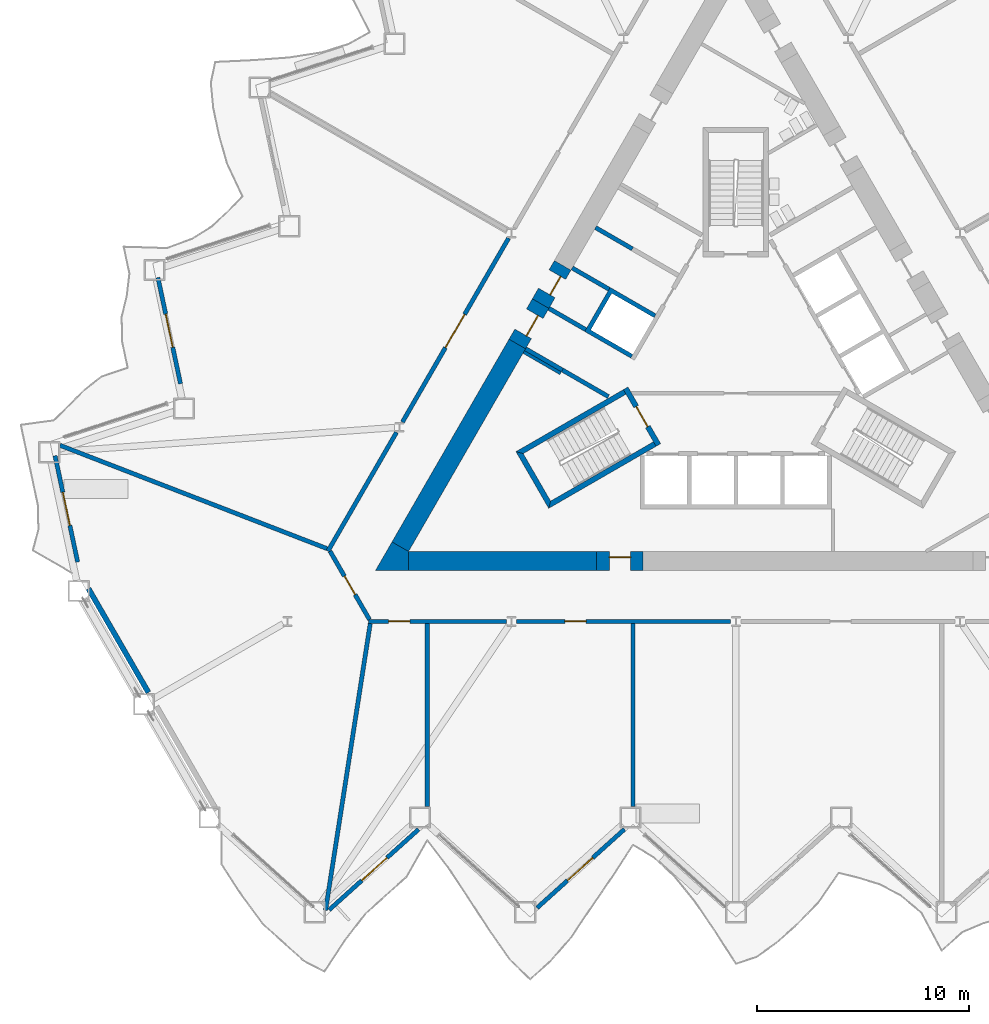
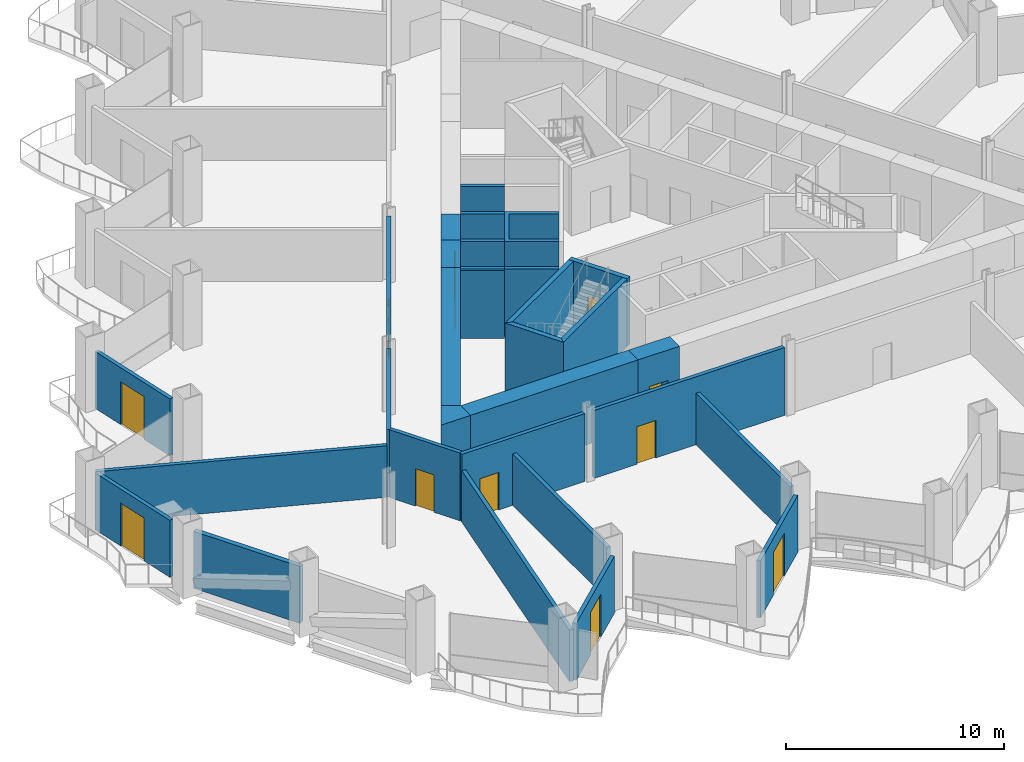
# One storey, part 9 of 21: 31 walls, 12 doors, 12 openings.
"""IFC4 building model written with IfcOpenShell, lengths in metres."""

from ifc_helpers import new_model, si_unit, direction, frame, frame_2d, origin, place, context, subcontext, project, spatial, polyline, rectangle, outline, extrude, material, layer, layer_set, type_object, element, fill, save


model = new_model("IFC4")

# Units and contexts
model_context = context("Model", 3, precision=1e-05, world=origin(), true_north=direction((0.0, 1.0)))
body_context = subcontext(model_context, "Body", "Model", "MODEL_VIEW")
ifc_project = project(units=[si_unit("LENGTHUNIT", "METRE"), si_unit("AREAUNIT", "SQUARE_METRE"), si_unit("VOLUMEUNIT", "CUBIC_METRE"), si_unit("PLANEANGLEUNIT", "RADIAN"), si_unit("MASSUNIT", "GRAM", prefix="KILO")], contexts=[model_context])

# Site, building, storey
site_placement = place(None, origin())
site = spatial("IfcSite", under=ifc_project, at=site_placement, CompositionType="ELEMENT")
building_placement = place(site_placement, origin())
building = spatial("IfcBuilding", under=site, at=building_placement, Name="Cormorant Prow Tower", CompositionType="ELEMENT")
storey_placement = place(building_placement, frame((0.0, 0.0, 42.60009765625)))
storey = spatial("IfcBuildingStorey", under=building, at=storey_placement, Name="L08", CompositionType="ELEMENT", Elevation=42.60009765625)

# Walls
ifc_material_1 = material(Name="Gypsum board partition")
ifc_layer_1 = layer(ifc_material_1, 0.14990234375)
ifc_layer_set_1 = layer_set([ifc_layer_1], Name="Gypsum board partition")
wall_type_1 = type_object("IfcWallType", Name="Core partition 150", PredefinedType="PARTITIONING", material=ifc_layer_set_1)
wall_1_placement = place(storey_placement, frame((-8.268310546875, -0.509033203125, 0.0), z_axis=(0.0, 0.0, 1.0), x_axis=(-0.866035824272, 0.499981950752, 0.0)))
element("IfcWall", 1, at=wall_1_placement, inside=storey, type_object=wall_type_1, Name="Service room partition", PredefinedType="PARTITIONING", context=body_context, shape_type="SweptSolid", body=[
    extrude(rectangle(XDim=2.0087890625, YDim=0.14990234375, at=frame_2d((1.00439453125, 0.0))), origin(), (0.0, 0.0, 1.0), 3.7998046875),
])
ifc_material_2 = material(Name="Concrete 8000 psi", Category="concrete")
ifc_layer_2 = layer(ifc_material_2, 0.89990234375)
ifc_layer_set_2 = layer_set([ifc_layer_2], Name="Concrete 8000 psi")
wall_type_2 = type_object("IfcWallType", Name="Core shear wall 900", PredefinedType="SHEAR", material=ifc_layer_set_2)
wall_2_placement = place(storey_placement, frame((-15.441162109375, -9.364990234375, 0.0), z_axis=(0.0, 0.0, 1.0), x_axis=(1.0, 0.0, 0.0)))
element("IfcWall", 2, at=wall_2_placement, inside=storey, type_object=wall_type_2, Name="Core wall", PredefinedType="SHEAR", context=body_context, shape_type="SweptSolid", body=[
    extrude(rectangle(XDim=8.87060546875, YDim=0.89990234375, at=frame_2d((4.435302734375, 0.0))), origin(), (0.0, 0.0, 1.0), 3.7998046875),
])
wall_3_placement = place(storey_placement, frame((-10.310302734375, 0.8720703125, 0.0), z_axis=(0.0, 0.0, 1.0), x_axis=(-0.499991697393, -0.866030197244, 0.0)))
element("IfcWall", 3, at=wall_3_placement, inside=storey, type_object=wall_type_2, Name="Core wall", PredefinedType="SHEAR", context=body_context, shape_type="SweptSolid", body=[
    extrude(rectangle(XDim=11.041259765625, YDim=0.89990234375, at=frame_2d((5.5205078125, 0.0))), origin(), (0.0, 0.0, 1.0), 3.7998046875),
])
wall_4_placement = place(storey_placement, origin())
element("IfcWall", 4, at=wall_4_placement, inside=storey, type_object=wall_type_2, Name="Core wall corner", PredefinedType="SHEAR", context=body_context, shape_type="SweptSolid", body=[
    extrude(outline(polyline([(-16.220703125, -8.465087890625), (-15.441162109375, -8.9150390625), (-15.441162109375, -9.81494140625), (-17.0, -9.81494140625), (-16.220703125, -8.465087890625)])), origin(), (0.0, 0.0, 1.0), 3.7998046875),
])

# Wall, opening, door
wall_5_placement = place(storey_placement, frame((-6.570556640625, -9.364990234375, 0.0), z_axis=(0.0, 0.0, 1.0), x_axis=(1.0, 0.0, 0.0)))
wall_5 = element("IfcWall", 5, at=wall_5_placement, inside=storey, type_object=wall_type_2, Name="Core wall door panel", PredefinedType="SHEAR", context=body_context, shape_type="SweptSolid", body=[
    extrude(rectangle(XDim=2.199951171875, YDim=0.89990234375, at=frame_2d((1.10009765625, 0.0))), origin(), (0.0, 0.0, 1.0), 3.7998046875),
])
opening_1_placement = place(wall_5_placement, frame((0.60009765625, 0.0, 0.0)))
opening_1 = element("IfcOpeningElement", 6, at=opening_1_placement, cuts=wall_5, Name="Opening L08-C16", PredefinedType="OPENING", context=body_context, shape_type="SweptSolid", body=[
    extrude(rectangle(XDim=1.0, YDim=2.10009765625, at=frame_2d((0.5, 1.050048828125))), frame((0.0, 0.4599609375, 0.0), z_axis=(0.0, -1.0, 0.0), x_axis=(1.0, 0.0, 0.0)), (0.0, 0.0, 1.0), 0.919921875),
])
ifc_material_3 = material(Name="Painted steel", Category="steel")
door_type_1 = type_object("IfcDoorType", Name="Service door 1000x2100", OperationType="NOTDEFINED", PredefinedType="DOOR", material=ifc_material_3)
door_1_placement = place(opening_1_placement, origin())
door_1 = element("IfcDoor", 7, at=door_1_placement, inside=storey, type_object=door_type_1, Name="Core door, Pantry store", OperationType="SINGLE_SWING_LEFT", OverallHeight=2.10009765625, OverallWidth=1.0, PredefinedType="DOOR", context=body_context, shape_type="SweptSolid", body=[
    extrude(rectangle(XDim=1.0, YDim=2.10009765625, at=frame_2d((0.5, 1.050048828125))), frame((0.0, 0.205078125, 0.0), z_axis=(0.0, -1.0, 0.0), x_axis=(1.0, 0.0, 0.0)), (0.0, 0.0, 1.0), 0.050048828125),
])
fill(opening_1, door_1)

wall_6_placement = place(storey_placement, frame((-8.17041015625, 4.57861328125, 0.0), z_axis=(0.0, 0.0, 1.0), x_axis=(-0.499888406853, -0.866089822532, 0.0)))
wall_6 = element("IfcWall", 8, at=wall_6_placement, inside=storey, type_object=wall_type_2, Name="Core wall door panel", PredefinedType="SHEAR", context=body_context, shape_type="SweptSolid", body=[
    extrude(rectangle(XDim=2.080078125, YDim=0.89990234375, at=frame_2d((1.0400390625, 0.0))), origin(), (0.0, 0.0, 1.0), 3.7998046875),
])
opening_2_placement = place(wall_6_placement, frame((0.5, 0.0, 0.0)))
opening_2 = element("IfcOpeningElement", 9, at=opening_2_placement, cuts=wall_6, Name="Opening L08-C19", PredefinedType="OPENING", context=body_context, shape_type="SweptSolid", body=[
    extrude(rectangle(XDim=1.0, YDim=2.10009765625, at=frame_2d((0.5, 1.050048828125))), frame((0.0, 0.4599609375, 0.0), z_axis=(0.0, -1.0, 0.0), x_axis=(1.0, 0.0, 0.0)), (0.0, 0.0, 1.0), 0.919921875),
])
door_2_placement = place(opening_2_placement, origin())
door_2 = element("IfcDoor", 10, at=door_2_placement, inside=storey, type_object=door_type_1, Name="Core door, Telecom room", OperationType="SINGLE_SWING_RIGHT", OverallHeight=2.10009765625, OverallWidth=1.0, PredefinedType="DOOR", context=body_context, shape_type="SweptSolid", body=[
    extrude(rectangle(XDim=1.0, YDim=2.10009765625, at=frame_2d((0.5, 1.050048828125))), frame((0.0, 0.205078125, 0.0), z_axis=(0.0, -1.0, 0.0), x_axis=(1.0, 0.0, 0.0)), (0.0, 0.0, 1.0), 0.050048828125),
])
fill(opening_2, door_2)

wall_7_placement = place(storey_placement, frame((-9.210205078125, 2.777099609375, 0.0), z_axis=(0.0, 0.0, 1.0), x_axis=(-0.500077893725, -0.86598042715, 0.0)))
wall_7 = element("IfcWall", 11, at=wall_7_placement, inside=storey, type_object=wall_type_2, Name="Core wall door panel", PredefinedType="SHEAR", context=body_context, shape_type="SweptSolid", body=[
    extrude(rectangle(XDim=2.199951171875, YDim=0.89990234375, at=frame_2d((1.10009765625, 0.0))), origin(), (0.0, 0.0, 1.0), 3.7998046875),
])
opening_3_placement = place(wall_7_placement, frame((0.550048828125, 0.0, 0.0)))
opening_3 = element("IfcOpeningElement", 12, at=opening_3_placement, cuts=wall_7, Name="Opening L08-C24", PredefinedType="OPENING", context=body_context, shape_type="SweptSolid", body=[
    extrude(rectangle(XDim=1.10009765625, YDim=2.10009765625, at=frame_2d((0.550048828125, 1.050048828125))), frame((0.0, 0.4599609375, 0.0), z_axis=(0.0, -1.0, 0.0), x_axis=(1.0, 0.0, 0.0)), (0.0, 0.0, 1.0), 0.919921875),
])
ifc_material_4 = material(Name="Painted steel", Category="steel")
door_type_2 = type_object("IfcDoorType", Name="Core door 1100x2100", OperationType="NOTDEFINED", PredefinedType="DOOR", material=ifc_material_4)
door_3_placement = place(opening_3_placement, origin())
door_3 = element("IfcDoor", 13, at=door_3_placement, inside=storey, type_object=door_type_2, Name="Core door, lift lobby", OperationType="SINGLE_SWING_RIGHT", OverallHeight=2.10009765625, OverallWidth=1.10009765625, PredefinedType="DOOR", context=body_context, shape_type="SweptSolid", body=[
    extrude(rectangle(XDim=1.10009765625, YDim=2.10009765625, at=frame_2d((0.550048828125, 1.050048828125))), frame((0.0, 0.205078125, 0.0), z_axis=(0.0, -1.0, 0.0), x_axis=(1.0, 0.0, 0.0)), (0.0, 0.0, 1.0), 0.050048828125),
])
fill(opening_3, door_3)

ifc_material_5 = material(Name="Gypsum board corridor wall")
ifc_layer_3 = layer(ifc_material_5, 0.199951171875)
ifc_layer_set_3 = layer_set([ifc_layer_3], Name="Gypsum board corridor wall")
wall_type_3 = type_object("IfcWallType", Name="Corridor wall 200", PredefinedType="PARTITIONING", material=ifc_layer_set_3)
wall_8_placement = place(storey_placement, frame((-10.336181640625, -12.215087890625, 0.0), z_axis=(0.0, 0.0, 1.0), x_axis=(1.0, 0.0, 0.0)))
wall_8 = element("IfcWall", 14, at=wall_8_placement, inside=storey, type_object=wall_type_3, Name="Corridor wall", PredefinedType="PARTITIONING", context=body_context, shape_type="SweptSolid", body=[
    extrude(rectangle(XDim=10.093994140625, YDim=0.199951171875, at=frame_2d((5.046875, 0.0))), origin(), (0.0, 0.0, 1.0), 3.7998046875),
])
opening_4_placement = place(wall_8_placement, frame((2.27197265625, 0.0, 0.0)))
opening_4 = element("IfcOpeningElement", 15, at=opening_4_placement, cuts=wall_8, Name="Opening L08-F02", PredefinedType="OPENING", context=body_context, shape_type="SweptSolid", body=[
    extrude(rectangle(XDim=1.0, YDim=2.10009765625, at=frame_2d((0.5, 1.050048828125))), frame((0.0, 0.10986328125, 0.0), z_axis=(0.0, -1.0, 0.0), x_axis=(1.0, 0.0, 0.0)), (0.0, 0.0, 1.0), 0.219970703125),
])
ifc_material_6 = material(Name="Timber door leaf", Category="wood")
door_type_3 = type_object("IfcDoorType", Name="Office door 1000x2100", OperationType="NOTDEFINED", PredefinedType="DOOR", material=ifc_material_6)
door_4_placement = place(opening_4_placement, origin())
door_4 = element("IfcDoor", 16, at=door_4_placement, inside=storey, type_object=door_type_3, Name="Tenant suite door", OperationType="SINGLE_SWING_RIGHT", OverallHeight=2.10009765625, OverallWidth=1.0, PredefinedType="DOOR", context=body_context, shape_type="SweptSolid", body=[
    extrude(rectangle(XDim=1.0, YDim=2.10009765625, at=frame_2d((0.5, 1.050048828125))), frame((0.0, 0.02490234375, 0.0), z_axis=(0.0, -1.0, 0.0), x_axis=(1.0, 0.0, 0.0)), (0.0, 0.0, 1.0), 0.050048828125),
])
fill(opening_4, door_4)

wall_9_placement = place(storey_placement, frame((-15.727783203125, -2.811279296875, 0.0), z_axis=(0.0, 0.0, 1.0), x_axis=(0.49999175339, 0.866030164915, 0.0)))
wall_9 = element("IfcWall", 17, at=wall_9_placement, inside=storey, type_object=wall_type_3, Name="Corridor wall", PredefinedType="PARTITIONING", context=body_context, shape_type="SweptSolid", body=[
    extrude(rectangle(XDim=10.018798828125, YDim=0.199951171875, at=frame_2d((5.00927734375, 0.0))), origin(), (0.0, 0.0, 1.0), 3.7998046875),
])
opening_5_placement = place(wall_9_placement, frame((4.059326171875, 0.0, 0.0)))
opening_5 = element("IfcOpeningElement", 18, at=opening_5_placement, cuts=wall_9, Name="Opening L08-F16", PredefinedType="OPENING", context=body_context, shape_type="SweptSolid", body=[
    extrude(rectangle(XDim=1.800048828125, YDim=2.10009765625, at=frame_2d((0.89990234375, 1.050048828125))), frame((0.0, 0.10986328125, 0.0), z_axis=(0.0, -1.0, 0.0), x_axis=(1.0, 0.0, 0.0)), (0.0, 0.0, 1.0), 0.219970703125),
])
ifc_material_7 = material(Name="Timber door leaf", Category="wood")
door_type_4 = type_object("IfcDoorType", Name="Double door 1800x2100", OperationType="DOUBLE_DOOR_SINGLE_SWING", PredefinedType="DOOR", material=ifc_material_7)
door_5_placement = place(opening_5_placement, origin())
door_5 = element("IfcDoor", 19, at=door_5_placement, inside=storey, type_object=door_type_4, Name="Open-plan office door", OperationType="DOUBLE_DOOR_SINGLE_SWING", OverallHeight=2.10009765625, OverallWidth=1.800048828125, PredefinedType="DOOR", context=body_context, shape_type="SweptSolid", body=[
    extrude(rectangle(XDim=1.800048828125, YDim=2.10009765625, at=frame_2d((0.89990234375, 1.050048828125))), frame((0.0, 0.02490234375, 0.0), z_axis=(0.0, -1.0, 0.0), x_axis=(1.0, 0.0, 0.0)), (0.0, 0.0, 1.0), 0.050048828125),
])
fill(opening_5, door_5)

wall_10_placement = place(storey_placement, frame((-17.330810546875, -12.215087890625, 0.0), z_axis=(0.0, 0.0, 1.0), x_axis=(1.0, 0.0, 0.0)))
wall_10 = element("IfcWall", 20, at=wall_10_placement, inside=storey, type_object=wall_type_3, Name="Corridor wall", PredefinedType="PARTITIONING", context=body_context, shape_type="SweptSolid", body=[
    extrude(rectangle(XDim=6.510009765625, YDim=0.199951171875, at=frame_2d((3.2548828125, 0.0))), origin(), (0.0, 0.0, 1.0), 3.7998046875),
])
opening_6_placement = place(wall_10_placement, frame((0.951416015625, 0.0, 0.0)))
opening_6 = element("IfcOpeningElement", 21, at=opening_6_placement, cuts=wall_10, Name="Opening L08-F01", PredefinedType="OPENING", context=body_context, shape_type="SweptSolid", body=[
    extrude(rectangle(XDim=1.0, YDim=2.10009765625, at=frame_2d((0.5, 1.050048828125))), frame((0.0, 0.10986328125, 0.0), z_axis=(0.0, -1.0, 0.0), x_axis=(1.0, 0.0, 0.0)), (0.0, 0.0, 1.0), 0.219970703125),
])
door_6_placement = place(opening_6_placement, origin())
door_6 = element("IfcDoor", 22, at=door_6_placement, inside=storey, type_object=door_type_3, Name="Meeting room door", OperationType="SINGLE_SWING_RIGHT", OverallHeight=2.10009765625, OverallWidth=1.0, PredefinedType="DOOR", context=body_context, shape_type="SweptSolid", body=[
    extrude(rectangle(XDim=1.0, YDim=2.10009765625, at=frame_2d((0.5, 1.050048828125))), frame((0.0, 0.02490234375, 0.0), z_axis=(0.0, -1.0, 0.0), x_axis=(1.0, 0.0, 0.0)), (0.0, 0.0, 1.0), 0.050048828125),
])
fill(opening_6, door_6)

# Wall
wall_11_placement = place(storey_placement, frame((-19.243896484375, -8.901611328125, 0.0), z_axis=(0.0, 0.0, 1.0), x_axis=(0.499984737558, 0.86603421538, 0.0)))
element("IfcWall", 23, at=wall_11_placement, inside=storey, type_object=wall_type_3, Name="Corridor wall", PredefinedType="PARTITIONING", context=body_context, shape_type="SweptSolid", body=[
    extrude(rectangle(XDim=6.472900390625, YDim=0.199951171875, at=frame_2d((3.236328125, 0.0))), origin(), (0.0, 0.0, 1.0), 3.7998046875),
])

# Wall, opening, door
wall_12_placement = place(storey_placement, frame((-19.143798828125, -8.901611328125, 0.0), z_axis=(0.0, 0.0, 1.0), x_axis=(0.499958791762, -0.866049194065, 0.0)))
wall_12 = element("IfcWall", 24, at=wall_12_placement, inside=storey, type_object=wall_type_3, Name="Corridor wall", PredefinedType="PARTITIONING", context=body_context, shape_type="SweptSolid", body=[
    extrude(rectangle(XDim=3.725830078125, YDim=0.199951171875, at=frame_2d((1.86279296875, 0.0))), origin(), (0.0, 0.0, 1.0), 3.7998046875),
])
opening_7_placement = place(wall_12_placement, frame((1.363037109375, 0.0, 0.0)))
opening_7 = element("IfcOpeningElement", 25, at=opening_7_placement, cuts=wall_12, Name="Opening L08-F17", PredefinedType="OPENING", context=body_context, shape_type="SweptSolid", body=[
    extrude(rectangle(XDim=1.0, YDim=2.10009765625, at=frame_2d((0.5, 1.050048828125))), frame((0.0, 0.10986328125, 0.0), z_axis=(0.0, -1.0, 0.0), x_axis=(1.0, 0.0, 0.0)), (0.0, 0.0, 1.0), 0.219970703125),
])
door_7_placement = place(opening_7_placement, origin())
door_7 = element("IfcDoor", 26, at=door_7_placement, inside=storey, type_object=door_type_3, Name="Tenant reception door", OperationType="SINGLE_SWING_RIGHT", OverallHeight=2.10009765625, OverallWidth=1.0, PredefinedType="DOOR", context=body_context, shape_type="SweptSolid", body=[
    extrude(rectangle(XDim=1.0, YDim=2.10009765625, at=frame_2d((0.5, 1.050048828125))), frame((0.0, 0.02490234375, 0.0), z_axis=(0.0, -1.0, 0.0), x_axis=(1.0, 0.0, 0.0)), (0.0, 0.0, 1.0), 0.050048828125),
])
fill(opening_7, door_7)

# Walls
ifc_material_8 = material(Name="Gypsum board demising wall")
ifc_layer_4 = layer(ifc_material_8, 0.199951171875)
ifc_layer_set_4 = layer_set([ifc_layer_4], Name="Gypsum board demising wall")
wall_type_4 = type_object("IfcWallType", Name="Demising wall 200", PredefinedType="PARTITIONING", material=ifc_layer_set_4)
wall_13_placement = place(storey_placement, frame((-19.354248046875, -25.8447265625, 0.0), z_axis=(0.0, 0.0, 1.0), x_axis=(0.153927101979, 0.98808220674, 0.0)))
element("IfcWall", 27, at=wall_13_placement, inside=storey, type_object=wall_type_4, Name="Demising wall", PredefinedType="PARTITIONING", context=body_context, shape_type="SweptSolid", body=[
    extrude(rectangle(XDim=13.694091796875, YDim=0.199951171875, at=frame_2d((6.84716796875, 0.0))), origin(), (0.0, 0.0, 1.0), 2.88525390625),
])
wall_14_placement = place(storey_placement, frame((-31.87939453125, -3.908447265625, 0.0), z_axis=(0.0, 0.0, 1.0), x_axis=(0.932669586354, -0.360731815467, 0.0)))
element("IfcWall", 28, at=wall_14_placement, inside=storey, type_object=wall_type_4, Name="Demising wall", PredefinedType="PARTITIONING", context=body_context, shape_type="SweptSolid", body=[
    extrude(rectangle(XDim=13.501220703125, YDim=0.199951171875, at=frame_2d((6.75048828125, 0.0))), origin(), (0.0, 0.0, 1.0), 2.88525390625),
])
for number, where, z_axis, x_axis, name in (
    (29, (-14.55810546875, -20.949951171875, 0.0), (0.0, 0.0, 1.0), (0.0, 1.0, 0.0), "Demising wall"),
    (30, (-4.852783203125, -20.949951171875, 0.0), (0.0, 0.0, 1.0), (0.0, 1.0, 0.0), "Demising wall"),
):
    element("IfcWall", number, at=place(storey_placement, frame(where, z_axis=z_axis, x_axis=x_axis)), inside=storey, type_object=wall_type_4, Name=name, PredefinedType="PARTITIONING", context=body_context, shape_type="SweptSolid", body=[
        extrude(rectangle(XDim=8.635009765625, YDim=0.199951171875, at=frame_2d((4.3173828125, 0.0))), origin(), (0.0, 0.0, 1.0), 2.88525390625),
    ])
ifc_material_9 = material(Name="Concrete 8000 psi", Category="concrete")
ifc_layer_5 = layer(ifc_material_9, 0.199951171875)
ifc_layer_set_5 = layer_set([ifc_layer_5], Name="Concrete 8000 psi")
wall_type_5 = type_object("IfcWallType", Name="Lift shaft wall 200", PredefinedType="SHEAR", material=ifc_layer_set_5)
wall_15_placement = place(storey_placement, origin())
element("IfcWall", 31, at=wall_15_placement, inside=storey, type_object=wall_type_5, Name="Lift shaft walls, WNW block", PredefinedType="SHEAR", context=body_context, shape_type="SweptSolid", body=[
    extrude(outline(polyline([(-6.060546875, -1.697021484375), (-8.230712890625, -0.444091796875), (-8.130859375, -0.27099609375), (-5.96044921875, -1.52392578125), (-6.060546875, -1.697021484375)])), origin(), (0.0, 0.0, 1.0), 3.7998046875),
])
wall_16_placement = place(storey_placement, origin())
element("IfcWall", 32, at=wall_16_placement, inside=storey, type_object=wall_type_5, Name="Lift shaft walls, WNW block", PredefinedType="SHEAR", context=body_context, shape_type="SweptSolid", body=[
    extrude(outline(polyline([(-4.96044921875, 0.2080078125), (-7.130859375, 1.461181640625), (-5.930908203125, 3.53955078125), (-3.760498046875, 2.28662109375), (-3.860595703125, 2.11328125), (-5.852294921875, 3.263427734375), (-6.852294921875, 1.53125), (-4.860595703125, 0.38134765625), (-4.96044921875, 0.2080078125)])), origin(), (0.0, 0.0, 1.0), 3.7998046875),
])
wall_17_placement = place(storey_placement, frame((-4.880859375, 5.3583984375, 0.0), z_axis=(0.0, 0.0, 1.0), x_axis=(-0.866035824272, 0.499981950752, 0.0)))
element("IfcWall", 33, at=wall_17_placement, inside=storey, type_object=wall_type_5, Name="Store side wall", PredefinedType="SHEAR", context=body_context, shape_type="SweptSolid", body=[
    extrude(rectangle(XDim=2.0087890625, YDim=0.199951171875, at=frame_2d((1.00439453125, 0.0))), origin(), (0.0, 0.0, 1.0), 3.7998046875),
])
wall_18_placement = place(storey_placement, frame((-5.980712890625, 3.452880859375, 0.0), z_axis=(0.0, 0.0, 1.0), x_axis=(-0.866013584312, 0.500020471368, 0.0)))
element("IfcWall", 34, at=wall_18_placement, inside=storey, type_object=wall_type_5, Name="Store side wall", PredefinedType="SHEAR", context=body_context, shape_type="SweptSolid", body=[
    extrude(rectangle(XDim=2.00927734375, YDim=0.199951171875, at=frame_2d((1.004638671875, 0.0))), origin(), (0.0, 0.0, 1.0), 3.7998046875),
])
wall_19_placement = place(storey_placement, frame((-7.080810546875, 1.547607421875, 0.0), z_axis=(0.0, 0.0, 1.0), x_axis=(-0.865983199114, 0.50007309351, 0.0)))
element("IfcWall", 35, at=wall_19_placement, inside=storey, type_object=wall_type_5, Name="Lobby passage wall", PredefinedType="SHEAR", context=body_context, shape_type="SweptSolid", body=[
    extrude(rectangle(XDim=2.009033203125, YDim=0.199951171875, at=frame_2d((1.00439453125, 0.0))), origin(), (0.0, 0.0, 1.0), 3.7998046875),
])
wall_20_placement = place(storey_placement, frame((-8.180908203125, -0.357421875, 0.0), z_axis=(0.0, 0.0, 1.0), x_axis=(-0.866035824272, 0.499981950752, 0.0)))
element("IfcWall", 36, at=wall_20_placement, inside=storey, type_object=wall_type_5, Name="Lobby passage wall", PredefinedType="SHEAR", context=body_context, shape_type="SweptSolid", body=[
    extrude(rectangle(XDim=2.0087890625, YDim=0.199951171875, at=frame_2d((1.00439453125, 0.0))), origin(), (0.0, 0.0, 1.0), 3.7998046875),
])
ifc_material_10 = material(Name="Concrete 8000 psi", Category="concrete")
ifc_layer_6 = layer(ifc_material_10, 0.25)
ifc_layer_set_6 = layer_set([ifc_layer_6], Name="Concrete 8000 psi")
wall_type_6 = type_object("IfcWallType", Name="Stair wall 250", PredefinedType="SHEAR", material=ifc_layer_set_6)
wall_21_placement = place(storey_placement, origin())
element("IfcWall", 37, at=wall_21_placement, inside=storey, type_object=wall_type_6, Name="Stair ST1 enclosure wall (flank)", PredefinedType="SHEAR", context=body_context, shape_type="SweptSolid", body=[
    extrude(outline(polyline([(-5.30712890625, -1.28125), (-10.37353515625, -4.206298828125), (-10.031982421875, -4.2978515625), (-5.18212890625, -1.497802734375), (-5.30712890625, -1.28125)])), origin(), (0.0, 0.0, 1.0), 3.7998046875),
])
wall_22_placement = place(storey_placement, origin())
element("IfcWall", 38, at=wall_22_placement, inside=storey, type_object=wall_type_6, Name="Stair ST1 enclosure wall (end)", PredefinedType="SHEAR", context=body_context, shape_type="SweptSolid", body=[
    extrude(outline(polyline([(-10.37353515625, -4.206298828125), (-8.82958984375, -6.880615234375), (-8.738037109375, -6.5390625), (-10.031982421875, -4.2978515625), (-10.37353515625, -4.206298828125)])), origin(), (0.0, 0.0, 1.0), 3.7998046875),
])
wall_23_placement = place(storey_placement, origin())
element("IfcWall", 39, at=wall_23_placement, inside=storey, type_object=wall_type_6, Name="Stair ST1 enclosure wall (flank)", PredefinedType="SHEAR", context=body_context, shape_type="SweptSolid", body=[
    extrude(outline(polyline([(-8.738037109375, -6.5390625), (-8.82958984375, -6.880615234375), (-3.76318359375, -3.95556640625), (-3.88818359375, -3.739013671875), (-8.738037109375, -6.5390625)])), origin(), (0.0, 0.0, 1.0), 3.7998046875),
])

# Wall, opening, door
wall_24_placement = place(storey_placement, frame((-5.198974609375, -1.21875, 0.0), z_axis=(0.0, 0.0, 1.0), x_axis=(0.499982516597, -0.866035497597, 0.0)))
wall_24 = element("IfcWall", 40, at=wall_24_placement, inside=storey, type_object=wall_type_6, Name="Stair ST1 door wall", PredefinedType="SHEAR", context=body_context, shape_type="SweptSolid", body=[
    extrude(rectangle(XDim=3.087890625, YDim=0.25, at=frame_2d((1.5439453125, 0.0))), origin(), (0.0, 0.0, 1.0), 3.7998046875),
])
opening_8_placement = place(wall_24_placement, frame((0.993896484375, 0.0, 0.0)))
opening_8 = element("IfcOpeningElement", 41, at=opening_8_placement, cuts=wall_24, Name="Opening L08-C12", PredefinedType="OPENING", context=body_context, shape_type="SweptSolid", body=[
    extrude(rectangle(XDim=1.10009765625, YDim=2.10009765625, at=frame_2d((0.550048828125, 1.050048828125))), frame((0.0, 0.135009765625, 0.0), z_axis=(0.0, -1.0, 0.0), x_axis=(1.0, 0.0, 0.0)), (0.0, 0.0, 1.0), 0.27001953125),
])
ifc_material_11 = material(Name="Painted steel", Category="steel")
door_type_5 = type_object("IfcDoorType", Name="Stair door 1100x2100", OperationType="NOTDEFINED", PredefinedType="DOOR", material=ifc_material_11)
door_8_placement = place(opening_8_placement, origin())
door_8 = element("IfcDoor", 42, at=door_8_placement, inside=storey, type_object=door_type_5, Name="Stair ST1 door", OperationType="SINGLE_SWING_LEFT", OverallHeight=2.10009765625, OverallWidth=1.10009765625, PredefinedType="DOOR", context=body_context, shape_type="SweptSolid", body=[
    extrude(rectangle(XDim=1.10009765625, YDim=2.10009765625, at=frame_2d((0.550048828125, 1.050048828125))), frame((0.0, 0.02490234375, 0.0), z_axis=(0.0, -1.0, 0.0), x_axis=(1.0, 0.0, 0.0)), (0.0, 0.0, 1.0), 0.050048828125),
])
fill(opening_8, door_8)

# Wall
ifc_material_12 = material(Name="Terracotta", Category="masonry")
ifc_layer_7 = layer(ifc_material_12, 0.25)
ifc_layer_set_7 = layer_set([ifc_layer_7], Name="Terracotta")
wall_type_7 = type_object("IfcWallType", Name="Terracotta bay wall 250", PredefinedType="SOLIDWALL", material=ifc_layer_set_7)
wall_25_placement = place(storey_placement, frame((-30.540283203125, -10.665283203125, 0.0), z_axis=(0.0, 0.0, 1.0), x_axis=(0.499985074313, -0.866034020963, 0.0)))
element("IfcWall", 43, at=wall_25_placement, inside=storey, type_object=wall_type_7, Name="Terracotta bay wall WSW00", PredefinedType="SOLIDWALL", context=body_context, shape_type="SweptSolid", body=[
    extrude(rectangle(XDim=5.659912109375, YDim=0.25, at=frame_2d((2.830078125, 0.0))), origin(), (0.0, 0.0, 1.0), 3.188720703125),
])

# Wall, opening, door
ifc_material_13 = material(Name="Terracotta", Category="masonry")
ifc_layer_8 = layer(ifc_material_13, 0.199951171875)
ifc_layer_set_8 = layer_set([ifc_layer_8], Name="Terracotta")
wall_type_8 = type_object("IfcWallType", Name="Terracotta jamb wall 200", PredefinedType="SOLIDWALL", material=ifc_layer_set_8)
wall_26_placement = place(storey_placement, frame((-19.1865234375, -25.8203125, 0.0), z_axis=(0.0, 0.0, 1.0), x_axis=(0.743142396166, 0.669133304373, 0.0)))
wall_26 = element("IfcWall", 44, at=wall_26_placement, inside=storey, type_object=wall_type_8, Name="Terracotta jamb wall S01", PredefinedType="SOLIDWALL", context=body_context, shape_type="SweptSolid", body=[
    extrude(rectangle(XDim=5.680419921875, YDim=0.199951171875, at=frame_2d((2.84033203125, 0.0))), origin(), (0.0, 0.0, 1.0), 3.188720703125),
])
opening_9_placement = place(wall_26_placement, frame((2.0732421875, 0.0, 0.0)))
opening_9 = element("IfcOpeningElement", 45, at=opening_9_placement, cuts=wall_26, Name="Opening ED08.01", PredefinedType="OPENING", context=body_context, shape_type="SweptSolid", body=[
    extrude(rectangle(XDim=1.60009765625, YDim=2.39990234375, at=frame_2d((0.800048828125, 1.199951171875))), frame((0.0, 0.10986328125, 0.0), z_axis=(0.0, -1.0, 0.0), x_axis=(1.0, 0.0, 0.0)), (0.0, 0.0, 1.0), 0.219970703125),
])
ifc_material_14 = material(Name="Aluminium 6063-T6", Category="aluminium")
door_type_6 = type_object("IfcDoorType", Name="Balcony door 1600x2400", OperationType="DOUBLE_DOOR_SINGLE_SWING", PredefinedType="DOOR", material=ifc_material_14)
door_9_placement = place(opening_9_placement, origin())
door_9 = element("IfcDoor", 46, at=door_9_placement, inside=storey, type_object=door_type_6, Name="Balcony door S01 ED08.01", OperationType="DOUBLE_DOOR_SINGLE_SWING", OverallHeight=2.39990234375, OverallWidth=1.60009765625, PredefinedType="DOOR", context=body_context, shape_type="SweptSolid", body=[
    extrude(rectangle(XDim=1.60009765625, YDim=2.39990234375, at=frame_2d((0.800048828125, 1.199951171875))), frame((0.0, 0.02490234375, 0.0), z_axis=(0.0, -1.0, 0.0), x_axis=(1.0, 0.0, 0.0)), (0.0, 0.0, 1.0), 0.050048828125),
])
fill(opening_9, door_9)

wall_27_placement = place(storey_placement, frame((-9.378662109375, -25.727783203125, 0.0), z_axis=(0.0, 0.0, 1.0), x_axis=(0.743160522465, 0.669113172677, 0.0)))
wall_27 = element("IfcWall", 47, at=wall_27_placement, inside=storey, type_object=wall_type_8, Name="Terracotta jamb wall S03", PredefinedType="SOLIDWALL", context=body_context, shape_type="SweptSolid", body=[
    extrude(rectangle(XDim=5.54248046875, YDim=0.199951171875, at=frame_2d((2.771240234375, 0.0))), origin(), (0.0, 0.0, 1.0), 3.188720703125),
])
opening_10_placement = place(wall_27_placement, frame((1.935302734375, 0.0, 0.0)))
opening_10 = element("IfcOpeningElement", 48, at=opening_10_placement, cuts=wall_27, Name="Opening ED08.02", PredefinedType="OPENING", context=body_context, shape_type="SweptSolid", body=[
    extrude(rectangle(XDim=1.60009765625, YDim=2.39990234375, at=frame_2d((0.800048828125, 1.199951171875))), frame((0.0, 0.10986328125, 0.0), z_axis=(0.0, -1.0, 0.0), x_axis=(1.0, 0.0, 0.0)), (0.0, 0.0, 1.0), 0.219970703125),
])
door_10_placement = place(opening_10_placement, origin())
door_10 = element("IfcDoor", 49, at=door_10_placement, inside=storey, type_object=door_type_6, Name="Balcony door S03 ED08.02", OperationType="DOUBLE_DOOR_SINGLE_SWING", OverallHeight=2.39990234375, OverallWidth=1.60009765625, PredefinedType="DOOR", context=body_context, shape_type="SweptSolid", body=[
    extrude(rectangle(XDim=1.60009765625, YDim=2.39990234375, at=frame_2d((0.800048828125, 1.199951171875))), frame((0.0, 0.02490234375, 0.0), z_axis=(0.0, -1.0, 0.0), x_axis=(1.0, 0.0, 0.0)), (0.0, 0.0, 1.0), 0.050048828125),
])
fill(opening_10, door_10)

wall_28_placement = place(storey_placement, frame((-27.260986328125, 4.00634765625, 0.0), z_axis=(0.0, 0.0, 1.0), x_axis=(0.207885539143, -0.978153159079, 0.0)))
wall_28 = element("IfcWall", 50, at=wall_28_placement, inside=storey, type_object=wall_type_8, Name="Terracotta jamb wall WNW07", PredefinedType="SOLIDWALL", context=body_context, shape_type="SweptSolid", body=[
    extrude(rectangle(XDim=5.1240234375, YDim=0.199951171875, at=frame_2d((2.56201171875, 0.0))), origin(), (0.0, 0.0, 1.0), 3.188720703125),
])
opening_11_placement = place(wall_28_placement, frame((1.761962890625, 0.0, 0.0)))
opening_11 = element("IfcOpeningElement", 51, at=opening_11_placement, cuts=wall_28, Name="Opening ED08.14", PredefinedType="OPENING", context=body_context, shape_type="SweptSolid", body=[
    extrude(rectangle(XDim=1.60009765625, YDim=2.39990234375, at=frame_2d((0.800048828125, 1.199951171875))), frame((0.0, 0.10986328125, 0.0), z_axis=(0.0, -1.0, 0.0), x_axis=(1.0, 0.0, 0.0)), (0.0, 0.0, 1.0), 0.219970703125),
])
door_11_placement = place(opening_11_placement, origin())
door_11 = element("IfcDoor", 52, at=door_11_placement, inside=storey, type_object=door_type_6, Name="Balcony door WNW07 ED08.14", OperationType="DOUBLE_DOOR_SINGLE_SWING", OverallHeight=2.39990234375, OverallWidth=1.60009765625, PredefinedType="DOOR", context=body_context, shape_type="SweptSolid", body=[
    extrude(rectangle(XDim=1.60009765625, YDim=2.39990234375, at=frame_2d((0.800048828125, 1.199951171875))), frame((0.0, 0.02490234375, 0.0), z_axis=(0.0, -1.0, 0.0), x_axis=(1.0, 0.0, 0.0)), (0.0, 0.0, 1.0), 0.050048828125),
])
fill(opening_11, door_11)

wall_29_placement = place(storey_placement, frame((-32.11376953125, -4.398681640625, 0.0), z_axis=(0.0, 0.0, 1.0), x_axis=(0.207931126702, -0.978143469307, 0.0)))
wall_29 = element("IfcWall", 53, at=wall_29_placement, inside=storey, type_object=wall_type_8, Name="Terracotta jamb wall WNW09", PredefinedType="SOLIDWALL", context=body_context, shape_type="SweptSolid", body=[
    extrude(rectangle(XDim=5.1240234375, YDim=0.199951171875, at=frame_2d((2.56201171875, 0.0))), origin(), (0.0, 0.0, 1.0), 3.188720703125),
])
opening_12_placement = place(wall_29_placement, frame((1.761962890625, 0.0, 0.0)))
opening_12 = element("IfcOpeningElement", 54, at=opening_12_placement, cuts=wall_29, Name="Opening ED08.15", PredefinedType="OPENING", context=body_context, shape_type="SweptSolid", body=[
    extrude(rectangle(XDim=1.60009765625, YDim=2.39990234375, at=frame_2d((0.800048828125, 1.199951171875))), frame((0.0, 0.10986328125, 0.0), z_axis=(0.0, -1.0, 0.0), x_axis=(1.0, 0.0, 0.0)), (0.0, 0.0, 1.0), 0.219970703125),
])
door_12_placement = place(opening_12_placement, origin())
door_12 = element("IfcDoor", 55, at=door_12_placement, inside=storey, type_object=door_type_6, Name="Balcony door WNW09 ED08.15", OperationType="DOUBLE_DOOR_SINGLE_SWING", OverallHeight=2.39990234375, OverallWidth=1.60009765625, PredefinedType="DOOR", context=body_context, shape_type="SweptSolid", body=[
    extrude(rectangle(XDim=1.60009765625, YDim=2.39990234375, at=frame_2d((0.800048828125, 1.199951171875))), frame((0.0, 0.02490234375, 0.0), z_axis=(0.0, -1.0, 0.0), x_axis=(1.0, 0.0, 0.0)), (0.0, 0.0, 1.0), 0.050048828125),
])
fill(opening_12, door_12)

save(model, "model.ifc")
